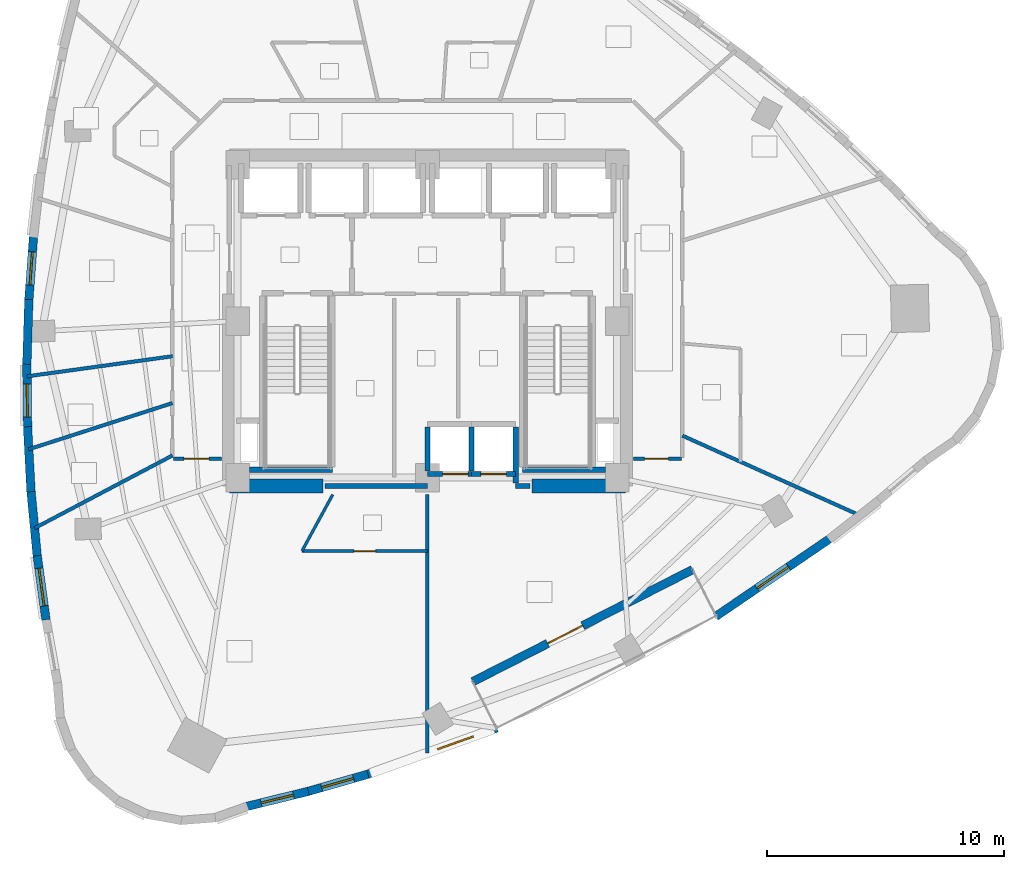
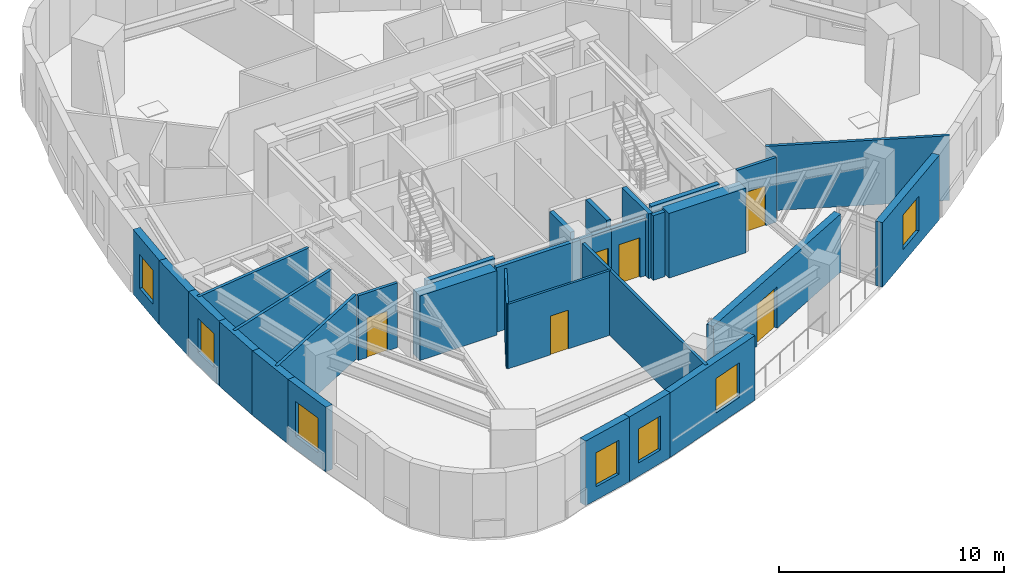
# One storey, part 5 of 11: 31 walls, 7 windows, 6 doors, 13 openings.
"""IFC4 building model written with IfcOpenShell, lengths in metres."""

from ifc_helpers import new_model, si_unit, direction, frame, frame_2d, origin, place, context, subcontext, project, spatial, rectangle, extrude, material, layer, layer_set, type_object, element, fill, save


model = new_model("IFC4")

# Units and contexts
model_context = context("Model", 3, precision=1e-05, world=origin(), true_north=direction((0.0, 1.0)))
body_context = subcontext(model_context, "Body", "Model", "MODEL_VIEW")
ifc_project = project(units=[si_unit("LENGTHUNIT", "METRE"), si_unit("AREAUNIT", "SQUARE_METRE"), si_unit("VOLUMEUNIT", "CUBIC_METRE"), si_unit("PLANEANGLEUNIT", "RADIAN"), si_unit("MASSUNIT", "GRAM", prefix="KILO")], contexts=[model_context])

# Site, building, storey
site_placement = place(None, origin())
site = spatial("IfcSite", under=ifc_project, at=site_placement, CompositionType="ELEMENT")
building_placement = place(site_placement, origin())
building = spatial("IfcBuilding", under=site, at=building_placement, Name="Ndelora Gate Hotel", CompositionType="ELEMENT")
storey_placement = place(building_placement, frame((0.0, 0.0, 108.5)))
storey = spatial("IfcBuildingStorey", under=building, at=storey_placement, Name="L26", CompositionType="ELEMENT", Elevation=108.5)

# Wall, opening, door
ifc_material_1 = material(Name="Clay Brick Masonry", Category="masonry")
ifc_layer_1 = layer(ifc_material_1, 0.360107421875)
ifc_layer_set_1 = layer_set([ifc_layer_1], Name="Clay Brick Masonry")
wall_type_1 = type_object("IfcWallType", Name="WL-BRICK-360", PredefinedType="SOLIDWALL", material=ifc_layer_set_1)
wall_1_placement = place(storey_placement, frame((11.177734375, -10.483642578125, 0.0), z_axis=(0.0, 0.0, 1.0), x_axis=(-0.891006889171, -0.453989783419, 0.0)))
wall_1 = element("IfcWall", 1, at=wall_1_placement, inside=storey, type_object=wall_type_1, Name="L26 Sky-Garden Loggia Rear Brick Wall", PredefinedType="SOLIDWALL", context=body_context, shape_type="SweptSolid", body=[
    extrude(rectangle(XDim=10.39990234375, YDim=0.360107421875, at=frame_2d((5.199951171875, 0.0))), origin(), (0.0, 0.0, 1.0), 3.14990234375),
])
opening_1_placement = place(wall_1_placement, frame((5.199951171875, 0.0, 0.0)))
opening_1 = element("IfcOpeningElement", 2, at=opening_1_placement, cuts=wall_1, Name="Opening TD1", PredefinedType="OPENING", context=body_context, shape_type="SweptSolid", body=[
    extrude(rectangle(XDim=1.64990234375, YDim=2.25, at=frame_2d((0.824951171875, 1.125))), frame((0.0, 0.18994140625, 0.0), z_axis=(0.0, -1.0, 0.0), x_axis=(1.0, 0.0, 0.0)), (0.0, 0.0, 1.0), 0.380126953125),
])
ifc_material_2 = material(Name="Architectural Bronze Glazed Door", Category="metal")
door_type_1 = type_object("IfcDoorType", Name="DR-TER-1650", OperationType="DOUBLE_DOOR_SINGLE_SWING", PredefinedType="DOOR", material=ifc_material_2)
door_1_placement = place(opening_1_placement, origin())
door_1 = element("IfcDoor", 3, at=door_1_placement, inside=storey, type_object=door_type_1, Name="L26 Sky-Garden Terrace Double Door TD1", OperationType="DOUBLE_DOOR_SINGLE_SWING", OverallHeight=2.25, OverallWidth=1.64990234375, PredefinedType="DOOR", context=body_context, shape_type="SweptSolid", body=[
    extrude(rectangle(XDim=1.64990234375, YDim=2.25, at=frame_2d((0.824951171875, 1.125))), frame((0.0, 0.02490234375, 0.0), z_axis=(0.0, -1.0, 0.0), x_axis=(1.0, 0.0, 0.0)), (0.0, 0.0, 1.0), 0.050048828125),
])
fill(opening_1, door_1)

# Wall, opening, window
wall_2_placement = place(storey_placement, frame((-16.808837890625, 0.85595703125, 0.0), z_axis=(0.0, 0.0, 1.0), x_axis=(0.07352900805, 0.997293078776, 0.0)))
wall_2 = element("IfcWall", 4, at=wall_2_placement, inside=storey, type_object=wall_type_1, Name="L26 Tower Brick Pier-and-Spandrel Wall TWR-14", PredefinedType="SOLIDWALL", context=body_context, shape_type="SweptSolid", body=[
    extrude(rectangle(XDim=2.729248046875, YDim=0.360107421875, at=frame_2d((1.36474609375, 0.0))), origin(), (0.0, 0.0, 1.0), 3.5),
])
opening_2_placement = place(wall_2_placement, frame((0.664794921875, 0.0, 0.719970703125)))
opening_2 = element("IfcOpeningElement", 5, at=opening_2_placement, cuts=wall_2, Name="Opening W02", PredefinedType="OPENING", context=body_context, shape_type="SweptSolid", body=[
    extrude(rectangle(XDim=1.39990234375, YDim=1.840087890625, at=frame_2d((0.699951171875, 0.919921875))), frame((0.0, 0.18994140625, 0.0), z_axis=(0.0, -1.0, 0.0), x_axis=(1.0, 0.0, 0.0)), (0.0, 0.0, 1.0), 0.380126953125),
])
ifc_material_3 = material(Name="Insulated Low-E Double Glazing in Bronze Aluminium Frame", Category="aluminium")
window_type_1 = type_object("IfcWindowType", Name="WN-DEEP-1400", PartitioningType="SINGLE_PANEL", PredefinedType="WINDOW", material=ifc_material_3)
window_1_placement = place(opening_2_placement, origin())
window_1 = element("IfcWindow", 6, at=window_1_placement, inside=storey, type_object=window_type_1, Name="L26 Deep-Set Brick-Pier Window W02", OverallHeight=1.840087890625, OverallWidth=1.39990234375, PartitioningType="SINGLE_PANEL", PredefinedType="WINDOW", context=body_context, shape_type="SweptSolid", body=[
    extrude(rectangle(XDim=1.39990234375, YDim=1.840087890625, at=frame_2d((0.699951171875, 0.919921875))), frame((0.0, 0.030029296875, 0.0), z_axis=(0.0, -1.0, 0.0), x_axis=(1.0, 0.0, 0.0)), (0.0, 0.0, 1.0), 0.06005859375),
])
fill(opening_2, window_1)

# Wall
wall_3_placement = place(storey_placement, frame((-16.89111328125, -1.822509765625, 0.0), z_axis=(0.0, 0.0, 1.0), x_axis=(0.031036495161, 0.999518251943, 0.0)))
element("IfcWall", 7, at=wall_3_placement, inside=storey, type_object=wall_type_1, Name="L26 Tower Brick Pier-and-Spandrel Wall TWR-15", PredefinedType="SOLIDWALL", context=body_context, shape_type="SweptSolid", body=[
    extrude(rectangle(XDim=2.7294921875, YDim=0.360107421875, at=frame_2d((1.36474609375, 0.0))), origin(), (0.0, 0.0, 1.0), 3.5),
])

# Wall, opening, window
wall_4_placement = place(storey_placement, frame((-16.859619140625, -4.506591796875, 0.0), z_axis=(0.0, 0.0, 1.0), x_axis=(-0.011339569117, 0.999935705019, 0.0)))
wall_4 = element("IfcWall", 8, at=wall_4_placement, inside=storey, type_object=wall_type_1, Name="L26 Tower Brick Pier-and-Spandrel Wall TWR-16", PredefinedType="SOLIDWALL", context=body_context, shape_type="SweptSolid", body=[
    extrude(rectangle(XDim=2.734375, YDim=0.360107421875, at=frame_2d((1.3671875, 0.0))), origin(), (0.0, 0.0, 1.0), 3.5),
])
opening_3_placement = place(wall_4_placement, frame((0.4599609375, 0.0, 0.719970703125)))
opening_3 = element("IfcOpeningElement", 9, at=opening_3_placement, cuts=wall_4, Name="Opening W02", PredefinedType="OPENING", context=body_context, shape_type="SweptSolid", body=[
    extrude(rectangle(XDim=1.39990234375, YDim=1.840087890625, at=frame_2d((0.699951171875, 0.919921875))), frame((0.0, 0.18994140625, 0.0), z_axis=(0.0, -1.0, 0.0), x_axis=(1.0, 0.0, 0.0)), (0.0, 0.0, 1.0), 0.380126953125),
])
window_2_placement = place(opening_3_placement, origin())
window_2 = element("IfcWindow", 10, at=window_2_placement, inside=storey, type_object=window_type_1, Name="L26 Deep-Set Brick-Pier Window W02", OverallHeight=1.840087890625, OverallWidth=1.39990234375, PartitioningType="SINGLE_PANEL", PredefinedType="WINDOW", context=body_context, shape_type="SweptSolid", body=[
    extrude(rectangle(XDim=1.39990234375, YDim=1.840087890625, at=frame_2d((0.699951171875, 0.919921875))), frame((0.0, 0.030029296875, 0.0), z_axis=(0.0, -1.0, 0.0), x_axis=(1.0, 0.0, 0.0)), (0.0, 0.0, 1.0), 0.06005859375),
])
fill(opening_3, window_2)

# Walls
wall_5_placement = place(storey_placement, frame((-16.714599609375, -7.19677734375, 0.0), z_axis=(0.0, 0.0, 1.0), x_axis=(-0.053474125499, 0.998569235407, 0.0)))
element("IfcWall", 11, at=wall_5_placement, inside=storey, type_object=wall_type_1, Name="L26 Tower Brick Pier-and-Spandrel Wall TWR-17", PredefinedType="SOLIDWALL", context=body_context, shape_type="SweptSolid", body=[
    extrude(rectangle(XDim=2.743896484375, YDim=0.360107421875, at=frame_2d((1.3720703125, 0.0))), origin(), (0.0, 0.0, 1.0), 3.5),
])
wall_6_placement = place(storey_placement, frame((-16.455810546875, -9.892822265625, 0.0), z_axis=(0.0, 0.0, 1.0), x_axis=(-0.095147411159, 0.99546319377, 0.0)))
element("IfcWall", 12, at=wall_6_placement, inside=storey, type_object=wall_type_1, Name="L26 Tower Brick Pier-and-Spandrel Wall TWR-18", PredefinedType="SOLIDWALL", context=body_context, shape_type="SweptSolid", body=[
    extrude(rectangle(XDim=2.75830078125, YDim=0.360107421875, at=frame_2d((1.379150390625, 0.0))), origin(), (0.0, 0.0, 1.0), 3.5),
])

# Wall, opening, window
wall_7_placement = place(storey_placement, frame((-16.0830078125, -12.594970703125, 0.0), z_axis=(0.0, 0.0, 1.0), x_axis=(-0.136238828404, 0.99067602254, 0.0)))
wall_7 = element("IfcWall", 13, at=wall_7_placement, inside=storey, type_object=wall_type_1, Name="L26 Tower Brick Pier-and-Spandrel Wall TWR-19", PredefinedType="SOLIDWALL", context=body_context, shape_type="SweptSolid", body=[
    extrude(rectangle(XDim=2.777587890625, YDim=0.360107421875, at=frame_2d((1.388671875, 0.0))), origin(), (0.0, 0.0, 1.0), 3.5),
])
opening_4_placement = place(wall_7_placement, frame((0.5888671875, 0.0, 0.719970703125)))
opening_4 = element("IfcOpeningElement", 14, at=opening_4_placement, cuts=wall_7, Name="Opening W01", PredefinedType="OPENING", context=body_context, shape_type="SweptSolid", body=[
    extrude(rectangle(XDim=1.60009765625, YDim=1.8798828125, at=frame_2d((0.800048828125, 0.93994140625))), frame((0.0, 0.18994140625, 0.0), z_axis=(0.0, -1.0, 0.0), x_axis=(1.0, 0.0, 0.0)), (0.0, 0.0, 1.0), 0.380126953125),
])
window_type_2 = type_object("IfcWindowType", Name="WN-DEEP-1600", PartitioningType="SINGLE_PANEL", PredefinedType="WINDOW", material=ifc_material_3)
window_3_placement = place(opening_4_placement, origin())
window_3 = element("IfcWindow", 15, at=window_3_placement, inside=storey, type_object=window_type_2, Name="L26 Deep-Set Brick-Pier Window W01", OverallHeight=1.8798828125, OverallWidth=1.60009765625, PartitioningType="SINGLE_PANEL", PredefinedType="WINDOW", context=body_context, shape_type="SweptSolid", body=[
    extrude(rectangle(XDim=1.60009765625, YDim=1.8798828125, at=frame_2d((0.800048828125, 0.93994140625))), frame((0.0, 0.030029296875, 0.0), z_axis=(0.0, -1.0, 0.0), x_axis=(1.0, 0.0, 0.0)), (0.0, 0.0, 1.0), 0.06005859375),
])
fill(opening_4, window_3)

wall_8_placement = place(storey_placement, frame((-5.02197265625, -19.830810546875, 0.0), z_axis=(0.0, 0.0, 1.0), x_axis=(-0.971174008504, -0.23837165353, 0.0)))
wall_8 = element("IfcWall", 16, at=wall_8_placement, inside=storey, type_object=wall_type_1, Name="L26 Tower Brick Pier-and-Spandrel Wall TWR-29", PredefinedType="SOLIDWALL", context=body_context, shape_type="SweptSolid", body=[
    extrude(rectangle(XDim=2.691650390625, YDim=0.360107421875, at=frame_2d((1.345703125, 0.0))), origin(), (0.0, 0.0, 1.0), 3.5),
])
opening_5_placement = place(wall_8_placement, frame((0.645751953125, 0.0, 0.719970703125)))
opening_5 = element("IfcOpeningElement", 17, at=opening_5_placement, cuts=wall_8, Name="Opening W02", PredefinedType="OPENING", context=body_context, shape_type="SweptSolid", body=[
    extrude(rectangle(XDim=1.39990234375, YDim=1.840087890625, at=frame_2d((0.699951171875, 0.919921875))), frame((0.0, 0.18994140625, 0.0), z_axis=(0.0, -1.0, 0.0), x_axis=(1.0, 0.0, 0.0)), (0.0, 0.0, 1.0), 0.380126953125),
])
window_4_placement = place(opening_5_placement, origin())
window_4 = element("IfcWindow", 18, at=window_4_placement, inside=storey, type_object=window_type_1, Name="L26 Deep-Set Brick-Pier Window W02", OverallHeight=1.840087890625, OverallWidth=1.39990234375, PartitioningType="SINGLE_PANEL", PredefinedType="WINDOW", context=body_context, shape_type="SweptSolid", body=[
    extrude(rectangle(XDim=1.39990234375, YDim=1.840087890625, at=frame_2d((0.699951171875, 0.919921875))), frame((0.0, 0.030029296875, 0.0), z_axis=(0.0, -1.0, 0.0), x_axis=(1.0, 0.0, 0.0)), (0.0, 0.0, 1.0), 0.06005859375),
])
fill(opening_5, window_4)

wall_9_placement = place(storey_placement, frame((-2.50439453125, -19.1064453125, 0.0), z_axis=(0.0, 0.0, 1.0), x_axis=(-0.961133025001, -0.276085690055, 0.0)))
wall_9 = element("IfcWall", 19, at=wall_9_placement, inside=storey, type_object=wall_type_1, Name="L26 Tower Brick Pier-and-Spandrel Wall TWR-30", PredefinedType="SOLIDWALL", context=body_context, shape_type="SweptSolid", body=[
    extrude(rectangle(XDim=2.669677734375, YDim=0.360107421875, at=frame_2d((1.3349609375, 0.0))), origin(), (0.0, 0.0, 1.0), 3.5),
])
opening_6_placement = place(wall_9_placement, frame((0.635009765625, 0.0, 0.719970703125)))
opening_6 = element("IfcOpeningElement", 20, at=opening_6_placement, cuts=wall_9, Name="Opening W02", PredefinedType="OPENING", context=body_context, shape_type="SweptSolid", body=[
    extrude(rectangle(XDim=1.39990234375, YDim=1.840087890625, at=frame_2d((0.699951171875, 0.919921875))), frame((0.0, 0.18994140625, 0.0), z_axis=(0.0, -1.0, 0.0), x_axis=(1.0, 0.0, 0.0)), (0.0, 0.0, 1.0), 0.380126953125),
])
window_5_placement = place(opening_6_placement, origin())
window_5 = element("IfcWindow", 21, at=window_5_placement, inside=storey, type_object=window_type_1, Name="L26 Deep-Set Brick-Pier Window W02", OverallHeight=1.840087890625, OverallWidth=1.39990234375, PartitioningType="SINGLE_PANEL", PredefinedType="WINDOW", context=body_context, shape_type="SweptSolid", body=[
    extrude(rectangle(XDim=1.39990234375, YDim=1.840087890625, at=frame_2d((0.699951171875, 0.919921875))), frame((0.0, 0.030029296875, 0.0), z_axis=(0.0, -1.0, 0.0), x_axis=(1.0, 0.0, 0.0)), (0.0, 0.0, 1.0), 0.06005859375),
])
fill(opening_6, window_5)

wall_10_placement = place(storey_placement, frame((2.93359375, -17.156982421875, 0.0), z_axis=(0.0, 0.0, 1.0), x_axis=(-0.941431533916, -0.337204191773, 0.0)))
wall_10 = element("IfcWall", 22, at=wall_10_placement, inside=storey, type_object=wall_type_1, Name="L26 Tower Brick Pier-and-Spandrel Wall TWR-31", PredefinedType="SOLIDWALL", context=body_context, shape_type="SweptSolid", body=[
    extrude(rectangle(XDim=5.826904296875, YDim=0.360107421875, at=frame_2d((2.91357421875, 0.0))), origin(), (0.0, 0.0, 1.0), 3.5),
])
opening_7_placement = place(wall_10_placement, frame((1.06005859375, 0.0, 0.719970703125)))
opening_7 = element("IfcOpeningElement", 23, at=opening_7_placement, cuts=wall_10, Name="Opening W01", PredefinedType="OPENING", context=body_context, shape_type="SweptSolid", body=[
    extrude(rectangle(XDim=1.60009765625, YDim=1.8798828125, at=frame_2d((0.800048828125, 0.93994140625))), frame((0.0, 0.18994140625, 0.0), z_axis=(0.0, -1.0, 0.0), x_axis=(1.0, 0.0, 0.0)), (0.0, 0.0, 1.0), 0.380126953125),
])
window_6_placement = place(opening_7_placement, origin())
window_6 = element("IfcWindow", 24, at=window_6_placement, inside=storey, type_object=window_type_2, Name="L26 Deep-Set Brick-Pier Window W01", OverallHeight=1.8798828125, OverallWidth=1.60009765625, PartitioningType="SINGLE_PANEL", PredefinedType="WINDOW", context=body_context, shape_type="SweptSolid", body=[
    extrude(rectangle(XDim=1.60009765625, YDim=1.8798828125, at=frame_2d((0.800048828125, 0.93994140625))), frame((0.0, 0.030029296875, 0.0), z_axis=(0.0, -1.0, 0.0), x_axis=(1.0, 0.0, 0.0)), (0.0, 0.0, 1.0), 0.06005859375),
])
fill(opening_7, window_6)

wall_11_placement = place(storey_placement, frame((16.969970703125, -9.1748046875, 0.0), z_axis=(0.0, 0.0, 1.0), x_axis=(-0.826151102753, -0.563448627134, 0.0)))
wall_11 = element("IfcWall", 25, at=wall_11_placement, inside=storey, type_object=wall_type_1, Name="L26 Tower Brick Pier-and-Spandrel Wall TWR-36", PredefinedType="SOLIDWALL", context=body_context, shape_type="SweptSolid", body=[
    extrude(rectangle(XDim=5.826904296875, YDim=0.360107421875, at=frame_2d((2.91357421875, 0.0))), origin(), (0.0, 0.0, 1.0), 3.5),
])
opening_8_placement = place(wall_11_placement, frame((2.11328125, 0.0, 0.719970703125)))
opening_8 = element("IfcOpeningElement", 26, at=opening_8_placement, cuts=wall_11, Name="Opening W01", PredefinedType="OPENING", context=body_context, shape_type="SweptSolid", body=[
    extrude(rectangle(XDim=1.60009765625, YDim=1.8798828125, at=frame_2d((0.800048828125, 0.93994140625))), frame((0.0, 0.18994140625, 0.0), z_axis=(0.0, -1.0, 0.0), x_axis=(1.0, 0.0, 0.0)), (0.0, 0.0, 1.0), 0.380126953125),
])
window_7_placement = place(opening_8_placement, origin())
window_7 = element("IfcWindow", 27, at=window_7_placement, inside=storey, type_object=window_type_2, Name="L26 Deep-Set Brick-Pier Window W01", OverallHeight=1.8798828125, OverallWidth=1.60009765625, PartitioningType="SINGLE_PANEL", PredefinedType="WINDOW", context=body_context, shape_type="SweptSolid", body=[
    extrude(rectangle(XDim=1.60009765625, YDim=1.8798828125, at=frame_2d((0.800048828125, 0.93994140625))), frame((0.0, 0.030029296875, 0.0), z_axis=(0.0, -1.0, 0.0), x_axis=(1.0, 0.0, 0.0)), (0.0, 0.0, 1.0), 0.06005859375),
])
fill(opening_8, window_7)

# Walls
ifc_material_4 = material(Name="Concrete C60/75", Category="concrete")
ifc_layer_2 = layer(ifc_material_4, 0.60009765625)
ifc_layer_set_2 = layer_set([ifc_layer_2], Name="Concrete C60/75")
wall_type_2 = type_object("IfcWallType", Name="WL-CORE-600", PredefinedType="SHEAR", material=ifc_layer_set_2)
for number, where, z_axis, x_axis, name in (
    (28, (-8.35009765625, -6.949951171875, 0.0), (0.0, 0.0, 1.0), (1.0, 0.0, 0.0), "L26 Core Shear Wall S-W"),
    (29, (4.39990234375, -6.949951171875, 0.0), (0.0, 0.0, 1.0), (1.0, 0.0, 0.0), "L26 Core Shear Wall S-E"),
):
    element("IfcWall", number, at=place(storey_placement, frame(where, z_axis=z_axis, x_axis=x_axis)), inside=storey, type_object=wall_type_2, Name=name, PredefinedType="SHEAR", context=body_context, shape_type="SweptSolid", body=[
        extrude(rectangle(XDim=3.9501953125, YDim=0.60009765625, at=frame_2d((1.97509765625, 0.0))), origin(), (0.0, 0.0, 1.0), 3.5),
    ])
ifc_material_5 = material(Name="Concrete C40/50", Category="concrete")
ifc_layer_3 = layer(ifc_material_5, 0.199951171875)
ifc_layer_set_3 = layer_set([ifc_layer_3], Name="Concrete C40/50")
wall_type_3 = type_object("IfcWallType", Name="WL-FIRE-200", PredefinedType="PARTITIONING", material=ifc_layer_set_3)
wall_12_placement = place(storey_placement, frame((-4.320068359375, -6.949951171875, 0.0), z_axis=(0.0, 0.0, 1.0), x_axis=(1.0, 0.0, 0.0)))
element("IfcWall", 30, at=wall_12_placement, inside=storey, type_object=wall_type_3, Name="L26 Interior Wall IW-2", PredefinedType="PARTITIONING", context=body_context, shape_type="SweptSolid", body=[
    extrude(rectangle(XDim=4.320068359375, YDim=0.199951171875, at=frame_2d((2.16015625, 0.0))), origin(), (0.0, 0.0, 1.0), 3.5),
])
wall_13_placement = place(storey_placement, frame((3.719970703125, -6.949951171875, 0.0), z_axis=(0.0, 0.0, 1.0), x_axis=(1.0, 0.0, 0.0)))
element("IfcWall", 31, at=wall_13_placement, inside=storey, type_object=wall_type_3, Name="L26 Interior Wall IW-2", PredefinedType="PARTITIONING", context=body_context, shape_type="SweptSolid", body=[
    extrude(rectangle(XDim=0.60009765625, YDim=0.199951171875, at=frame_2d((0.300048828125, 0.0))), origin(), (0.0, 0.0, 1.0), 3.5),
])

# Wall, opening, door
ifc_material_6 = material(Name="Fire-Rated Gypsum Stud Partition", Category="gypsum")
ifc_layer_4 = layer(ifc_material_6, 0.14990234375)
ifc_layer_set_4 = layer_set([ifc_layer_4], Name="Fire-Rated Gypsum Stud Partition")
wall_type_4 = type_object("IfcWallType", Name="WL-PART-150", PredefinedType="PARTITIONING", material=ifc_layer_set_4)
wall_14_placement = place(storey_placement, frame((-8.68994140625, -5.800048828125, 0.0), z_axis=(0.0, 0.0, 1.0), x_axis=(-1.0, 0.0, 0.0)))
wall_14 = element("IfcWall", 32, at=wall_14_placement, inside=storey, type_object=wall_type_4, Name="L26 Interior Wall IW-5", PredefinedType="PARTITIONING", context=body_context, shape_type="SweptSolid", body=[
    extrude(rectangle(XDim=2.02001953125, YDim=0.14990234375, at=frame_2d((1.010009765625, 0.0))), origin(), (0.0, 0.0, 1.0), 3.5),
])
opening_9_placement = place(wall_14_placement, frame((0.52001953125, 0.0, 0.0)))
opening_9 = element("IfcOpeningElement", 33, at=opening_9_placement, cuts=wall_14, Name="Opening D07", PredefinedType="OPENING", context=body_context, shape_type="SweptSolid", body=[
    extrude(rectangle(XDim=1.06005859375, YDim=2.14990234375, at=frame_2d((0.530029296875, 1.074951171875))), frame((0.0, 0.0849609375, 0.0), z_axis=(0.0, -1.0, 0.0), x_axis=(1.0, 0.0, 0.0)), (0.0, 0.0, 1.0), 0.169921875),
])
ifc_material_7 = material(Name="Diplomatic Suite Acoustic Entrance Door", Category="wood")
door_type_2 = type_object("IfcDoorType", Name="DR-SUITE-1060", OperationType="SINGLE_SWING_LEFT", PredefinedType="DOOR", material=ifc_material_7)
door_2_placement = place(opening_9_placement, origin())
door_2 = element("IfcDoor", 34, at=door_2_placement, inside=storey, type_object=door_type_2, Name="L26 Club Executive Suite 2901 Entrance Door", OperationType="SINGLE_SWING_RIGHT", OverallHeight=2.14990234375, OverallWidth=1.06005859375, PredefinedType="DOOR", context=body_context, shape_type="SweptSolid", body=[
    extrude(rectangle(XDim=1.06005859375, YDim=2.14990234375, at=frame_2d((0.530029296875, 1.074951171875))), frame((0.0, 0.02490234375, 0.0), z_axis=(0.0, -1.0, 0.0), x_axis=(1.0, 0.0, 0.0)), (0.0, 0.0, 1.0), 0.050048828125),
])
fill(opening_9, door_2)

wall_15_placement = place(storey_placement, frame((10.7099609375, -5.800048828125, 0.0), z_axis=(0.0, 0.0, 1.0), x_axis=(-1.0, 0.0, 0.0)))
wall_15 = element("IfcWall", 35, at=wall_15_placement, inside=storey, type_object=wall_type_4, Name="L26 Interior Wall IW-5", PredefinedType="PARTITIONING", context=body_context, shape_type="SweptSolid", body=[
    extrude(rectangle(XDim=2.02001953125, YDim=0.14990234375, at=frame_2d((1.010009765625, 0.0))), origin(), (0.0, 0.0, 1.0), 3.5),
])
opening_10_placement = place(wall_15_placement, frame((0.550048828125, 0.0, 0.0)))
opening_10 = element("IfcOpeningElement", 36, at=opening_10_placement, cuts=wall_15, Name="Opening D01", PredefinedType="OPENING", context=body_context, shape_type="SweptSolid", body=[
    extrude(rectangle(XDim=1.0, YDim=2.14990234375, at=frame_2d((0.5, 1.074951171875))), frame((0.0, 0.0849609375, 0.0), z_axis=(0.0, -1.0, 0.0), x_axis=(1.0, 0.0, 0.0)), (0.0, 0.0, 1.0), 0.169921875),
])
ifc_material_8 = material(Name="Acoustic Hardwood Guest Entrance Door", Category="wood")
door_type_3 = type_object("IfcDoorType", Name="DR-COR-1000", OperationType="SINGLE_SWING_LEFT", PredefinedType="DOOR", material=ifc_material_8)
door_3_placement = place(opening_10_placement, origin())
door_3 = element("IfcDoor", 37, at=door_3_placement, inside=storey, type_object=door_type_3, Name="L26 Sky Garden Tea Dining Room Entrance Door", OperationType="SINGLE_SWING_LEFT", OverallHeight=2.14990234375, OverallWidth=1.0, PredefinedType="DOOR", context=body_context, shape_type="SweptSolid", body=[
    extrude(rectangle(XDim=1.0, YDim=2.14990234375, at=frame_2d((0.5, 1.074951171875))), frame((0.0, 0.02490234375, 0.0), z_axis=(0.0, -1.0, 0.0), x_axis=(1.0, 0.0, 0.0)), (0.0, 0.0, 1.0), 0.050048828125),
])
fill(opening_10, door_3)

# Walls
wall_16_placement = place(storey_placement, frame((-10.75, -5.667724609375, 0.0), z_axis=(0.0, 0.0, 1.0), x_axis=(-0.88456520122, -0.466416557158, 0.0)))
element("IfcWall", 38, at=wall_16_placement, inside=storey, type_object=wall_type_4, Name="L26 Interior Wall IW-5", PredefinedType="PARTITIONING", context=body_context, shape_type="SweptSolid", body=[
    extrude(rectangle(XDim=6.575439453125, YDim=0.14990234375, at=frame_2d((3.28759765625, 0.0))), origin(), (0.0, 0.0, 1.0), 3.5),
])
wall_17_placement = place(storey_placement, frame((0.0, -7.320068359375, 0.0), z_axis=(0.0, 0.0, 1.0), x_axis=(0.0, -1.0, 0.0)))
element("IfcWall", 39, at=wall_17_placement, inside=storey, type_object=wall_type_4, Name="L26 Interior Wall IW-5", PredefinedType="PARTITIONING", context=body_context, shape_type="SweptSolid", body=[
    extrude(rectangle(XDim=10.8876953125, YDim=0.14990234375, at=frame_2d((5.44384765625, 0.0))), origin(), (0.0, 0.0, 1.0), 3.5),
])
wall_18_placement = place(storey_placement, frame((10.75, -4.831298828125, 0.0), z_axis=(0.0, 0.0, 1.0), x_axis=(0.912123674565, -0.409915115967, 0.0)))
element("IfcWall", 40, at=wall_18_placement, inside=storey, type_object=wall_type_4, Name="L26 Interior Wall IW-5", PredefinedType="PARTITIONING", context=body_context, shape_type="SweptSolid", body=[
    extrude(rectangle(XDim=8.19775390625, YDim=0.14990234375, at=frame_2d((4.098876953125, 0.0))), origin(), (0.0, 0.0, 1.0), 3.5),
])
wall_19_placement = place(storey_placement, frame((-10.75, -1.484619140625, 0.0), z_axis=(0.0, 0.0, 1.0), x_axis=(-0.990603271239, -0.136766805219, 0.0)))
element("IfcWall", 41, at=wall_19_placement, inside=storey, type_object=wall_type_4, Name="L26 Interior Wall IW-5", PredefinedType="PARTITIONING", context=body_context, shape_type="SweptSolid", body=[
    extrude(rectangle(XDim=6.1923828125, YDim=0.14990234375, at=frame_2d((3.09619140625, 0.0))), origin(), (0.0, 0.0, 1.0), 3.5),
])
wall_20_placement = place(storey_placement, frame((-10.75, -3.4580078125, 0.0), z_axis=(0.0, 0.0, 1.0), x_axis=(-0.951970686229, -0.306189177732, 0.0)))
element("IfcWall", 42, at=wall_20_placement, inside=storey, type_object=wall_type_4, Name="L26 Interior Wall IW-5", PredefinedType="PARTITIONING", context=body_context, shape_type="SweptSolid", body=[
    extrude(rectangle(XDim=6.365966796875, YDim=0.14990234375, at=frame_2d((3.18310546875, 0.0))), origin(), (0.0, 0.0, 1.0), 3.5),
])

# Wall, opening, door
ifc_layer_5 = layer(ifc_material_5, 0.219970703125)
ifc_layer_set_5 = layer_set([ifc_layer_5], Name="Concrete C40/50")
wall_type_5 = type_object("IfcWallType", Name="WL-SHAFT-220", PredefinedType="PARTITIONING", material=ifc_layer_set_5)
wall_21_placement = place(storey_placement, frame((0.0, -6.449951171875, 0.0), z_axis=(0.0, 0.0, 1.0), x_axis=(1.0, 0.0, 0.0)))
wall_21 = element("IfcWall", 43, at=wall_21_placement, inside=storey, type_object=wall_type_5, Name="L26 Interior Wall IW-1", PredefinedType="PARTITIONING", context=body_context, shape_type="SweptSolid", body=[
    extrude(rectangle(XDim=1.860107421875, YDim=0.219970703125, at=frame_2d((0.93017578125, 0.0))), origin(), (0.0, 0.0, 1.0), 3.1201171875),
])
opening_11_placement = place(wall_21_placement, frame((0.639892578125, 0.0, 0.0)))
opening_11 = element("IfcOpeningElement", 44, at=opening_11_placement, cuts=wall_21, Name="Opening LD2", PredefinedType="OPENING", context=body_context, shape_type="SweptSolid", body=[
    extrude(rectangle(XDim=1.080078125, YDim=2.14990234375, at=frame_2d((0.5400390625, 1.074951171875))), frame((0.0, 0.1201171875, 0.0), z_axis=(0.0, -1.0, 0.0), x_axis=(1.0, 0.0, 0.0)), (0.0, 0.0, 1.0), 0.239990234375),
])
ifc_material_9 = material(Name="Brushed Bronze Stainless Lift Landing Door", Category="metal")
door_type_4 = type_object("IfcDoorType", Name="DR-LD2", OperationType="DOUBLE_DOOR_SLIDING", PredefinedType="DOOR", material=ifc_material_9)
door_4_placement = place(opening_11_placement, origin())
door_4 = element("IfcDoor", 45, at=door_4_placement, inside=storey, type_object=door_type_4, Name="L26 Lift Landing Sliding Door P2A", OperationType="DOUBLE_DOOR_SLIDING", OverallHeight=2.14990234375, OverallWidth=1.080078125, PredefinedType="DOOR", context=body_context, shape_type="SweptSolid", body=[
    extrude(rectangle(XDim=1.080078125, YDim=2.14990234375, at=frame_2d((0.5400390625, 1.074951171875))), frame((0.0, 0.02490234375, 0.0), z_axis=(0.0, -1.0, 0.0), x_axis=(1.0, 0.0, 0.0)), (0.0, 0.0, 1.0), 0.050048828125),
])
fill(opening_11, door_4)

# Walls
for number, where, z_axis, x_axis, name in (
    (46, (0.0, -6.330078125, 0.0), (0.0, 0.0, 1.0), (0.0, 1.0, 0.0), "L26 Interior Wall IW-1"),
    (47, (1.860107421875, -6.330078125, 0.0), (0.0, 0.0, 1.0), (0.0, 1.0, 0.0), "L26 Interior Wall IW-1"),
):
    element("IfcWall", number, at=place(storey_placement, frame(where, z_axis=z_axis, x_axis=x_axis)), inside=storey, type_object=wall_type_5, Name=name, PredefinedType="PARTITIONING", context=body_context, shape_type="SweptSolid", body=[
        extrude(rectangle(XDim=1.860107421875, YDim=0.219970703125, at=frame_2d((0.93017578125, 0.0))), origin(), (0.0, 0.0, 1.0), 3.5),
    ])

# Wall, opening, door
wall_22_placement = place(storey_placement, frame((1.860107421875, -6.449951171875, 0.0), z_axis=(0.0, 0.0, 1.0), x_axis=(1.0, 0.0, 0.0)))
wall_22 = element("IfcWall", 48, at=wall_22_placement, inside=storey, type_object=wall_type_5, Name="L26 Interior Wall IW-1", PredefinedType="PARTITIONING", context=body_context, shape_type="SweptSolid", body=[
    extrude(rectangle(XDim=1.85986328125, YDim=0.219970703125, at=frame_2d((0.929931640625, 0.0))), origin(), (0.0, 0.0, 1.0), 3.1201171875),
])
opening_12_placement = place(wall_22_placement, frame((0.389892578125, 0.0, 0.0)))
opening_12 = element("IfcOpeningElement", 49, at=opening_12_placement, cuts=wall_22, Name="Opening LD2", PredefinedType="OPENING", context=body_context, shape_type="SweptSolid", body=[
    extrude(rectangle(XDim=1.080078125, YDim=2.14990234375, at=frame_2d((0.5400390625, 1.074951171875))), frame((0.0, 0.1201171875, 0.0), z_axis=(0.0, -1.0, 0.0), x_axis=(1.0, 0.0, 0.0)), (0.0, 0.0, 1.0), 0.239990234375),
])
door_5_placement = place(opening_12_placement, origin())
door_5 = element("IfcDoor", 50, at=door_5_placement, inside=storey, type_object=door_type_4, Name="L26 Lift Landing Sliding Door P2B", OperationType="DOUBLE_DOOR_SLIDING", OverallHeight=2.14990234375, OverallWidth=1.080078125, PredefinedType="DOOR", context=body_context, shape_type="SweptSolid", body=[
    extrude(rectangle(XDim=1.080078125, YDim=2.14990234375, at=frame_2d((0.5400390625, 1.074951171875))), frame((0.0, 0.02490234375, 0.0), z_axis=(0.0, -1.0, 0.0), x_axis=(1.0, 0.0, 0.0)), (0.0, 0.0, 1.0), 0.050048828125),
])
fill(opening_12, door_5)

# Walls
wall_23_placement = place(storey_placement, frame((3.719970703125, -6.830078125, 0.0), z_axis=(0.0, 0.0, 1.0), x_axis=(0.0, 1.0, 0.0)))
element("IfcWall", 51, at=wall_23_placement, inside=storey, type_object=wall_type_5, Name="L26 Interior Wall IW-1", PredefinedType="PARTITIONING", context=body_context, shape_type="SweptSolid", body=[
    extrude(rectangle(XDim=2.360107421875, YDim=0.219970703125, at=frame_2d((1.18017578125, 0.0))), origin(), (0.0, 0.0, 1.0), 3.5),
])
ifc_material_10 = material(Name="Concrete C50/60", Category="concrete")
ifc_layer_6 = layer(ifc_material_10, 0.239990234375)
ifc_layer_set_6 = layer_set([ifc_layer_6], Name="Concrete C50/60")
wall_type_6 = type_object("IfcWallType", Name="WL-STAIR-240", PredefinedType="SHEAR", material=ifc_layer_set_6)
for number, where, z_axis, x_axis, name in (
    (52, (-7.5, -6.27001953125, 0.0), (0.0, 0.0, 1.0), (1.0, 0.0, 0.0), "L26 Stair Core Shear Wall SW-ST"),
    (53, (4.010009765625, -6.27001953125, 0.0), (0.0, 0.0, 1.0), (1.0, 0.0, 0.0), "L26 Stair Core Shear Wall SW-ST"),
):
    element("IfcWall", number, at=place(storey_placement, frame(where, z_axis=z_axis, x_axis=x_axis)), inside=storey, type_object=wall_type_6, Name=name, PredefinedType="SHEAR", context=body_context, shape_type="SweptSolid", body=[
        extrude(rectangle(XDim=3.489990234375, YDim=0.239990234375, at=frame_2d((1.7451171875, 0.0))), origin(), (0.0, 0.0, 1.0), 3.5),
    ])

# Wall, opening, door
ifc_material_11 = material(Name="Moisture-Resistant Bathroom Tile Partition", Category="gypsum")
ifc_layer_7 = layer(ifc_material_11, 0.1201171875)
ifc_layer_set_7 = layer_set([ifc_layer_7], Name="Moisture-Resistant Bathroom Tile Partition")
wall_type_7 = type_object("IfcWallType", Name="WL-WET-120", PredefinedType="PARTITIONING", material=ifc_layer_set_7)
wall_24_placement = place(storey_placement, frame((0.0, -9.699951171875, 0.0), z_axis=(0.0, 0.0, 1.0), x_axis=(-1.0, 0.0, 0.0)))
wall_24 = element("IfcWall", 54, at=wall_24_placement, inside=storey, type_object=wall_type_7, Name="L26 Interior Wall IW-7", PredefinedType="PARTITIONING", context=body_context, shape_type="SweptSolid", body=[
    extrude(rectangle(XDim=5.291259765625, YDim=0.1201171875, at=frame_2d((2.6455078125, 0.0))), origin(), (0.0, 0.0, 1.0), 3.5),
])
opening_13_placement = place(wall_24_placement, frame((2.185546875, 0.0, 0.0)))
opening_13 = element("IfcOpeningElement", 55, at=opening_13_placement, cuts=wall_24, Name="Opening D03", PredefinedType="OPENING", context=body_context, shape_type="SweptSolid", body=[
    extrude(rectangle(XDim=0.919921875, YDim=2.10009765625, at=frame_2d((0.4599609375, 1.050048828125))), frame((0.0, 0.070068359375, 0.0), z_axis=(0.0, -1.0, 0.0), x_axis=(1.0, 0.0, 0.0)), (0.0, 0.0, 1.0), 0.14013671875),
])
ifc_material_12 = material(Name="Moisture-Resistant Hardwood En-Suite Door", Category="wood")
door_type_5 = type_object("IfcDoorType", Name="DR-BATH-920", OperationType="SINGLE_SWING_LEFT", PredefinedType="DOOR", material=ifc_material_12)
door_6_placement = place(opening_13_placement, origin())
door_6 = element("IfcDoor", 56, at=door_6_placement, inside=storey, type_object=door_type_5, Name="L26 En-suite Bathroom 2901 Door", OperationType="SINGLE_SWING_RIGHT", OverallHeight=2.10009765625, OverallWidth=0.919921875, PredefinedType="DOOR", context=body_context, shape_type="SweptSolid", body=[
    extrude(rectangle(XDim=0.919921875, YDim=2.10009765625, at=frame_2d((0.4599609375, 1.050048828125))), frame((0.0, 0.02490234375, 0.0), z_axis=(0.0, -1.0, 0.0), x_axis=(1.0, 0.0, 0.0)), (0.0, 0.0, 1.0), 0.050048828125),
])
fill(opening_13, door_6)

# Wall
wall_25_placement = place(storey_placement, frame((-5.291259765625, -9.699951171875, 0.0), z_axis=(0.0, 0.0, 1.0), x_axis=(0.478915225664, 0.877861154527, 0.0)))
element("IfcWall", 57, at=wall_25_placement, inside=storey, type_object=wall_type_7, Name="L26 Interior Wall IW-7", PredefinedType="PARTITIONING", context=body_context, shape_type="SweptSolid", body=[
    extrude(rectangle(XDim=2.7109375, YDim=0.1201171875, at=frame_2d((1.35546875, 0.0))), origin(), (0.0, 0.0, 1.0), 3.5),
])

save(model, "model.ifc")
